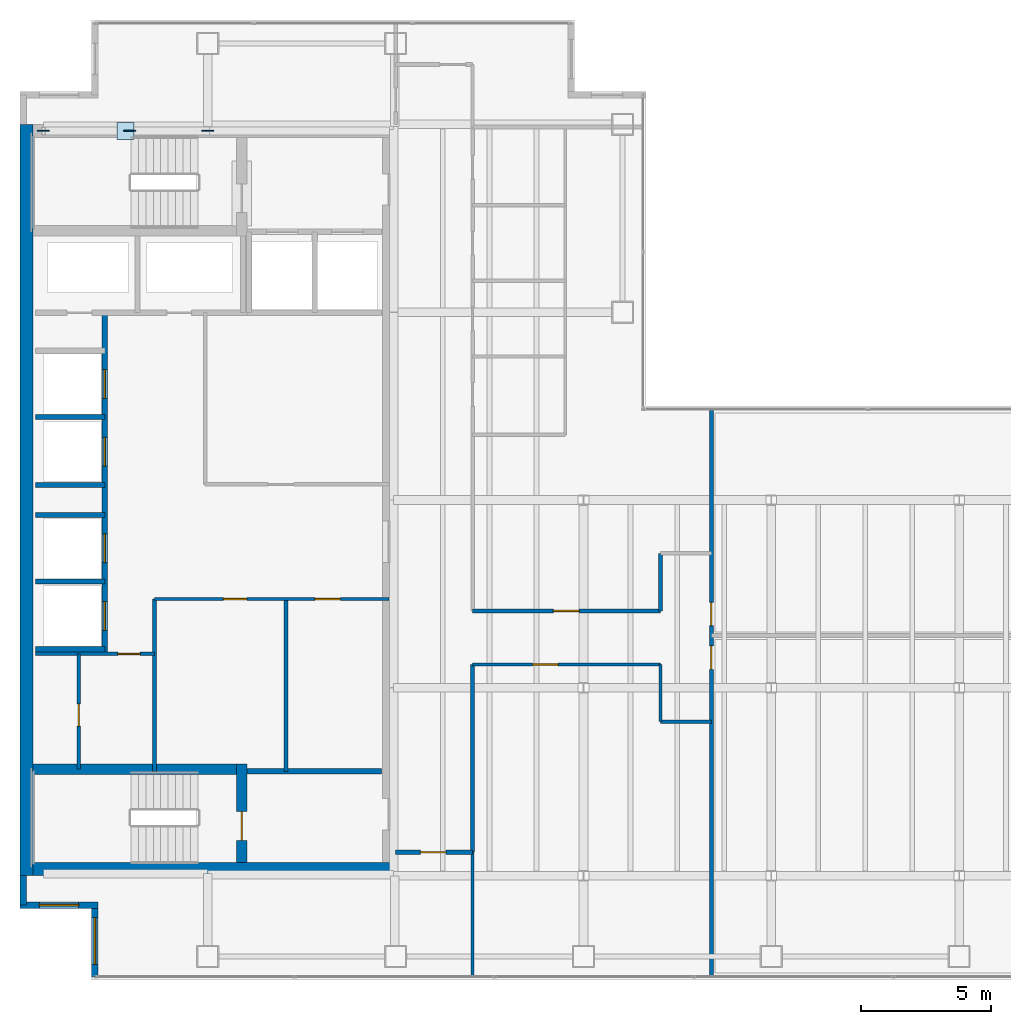
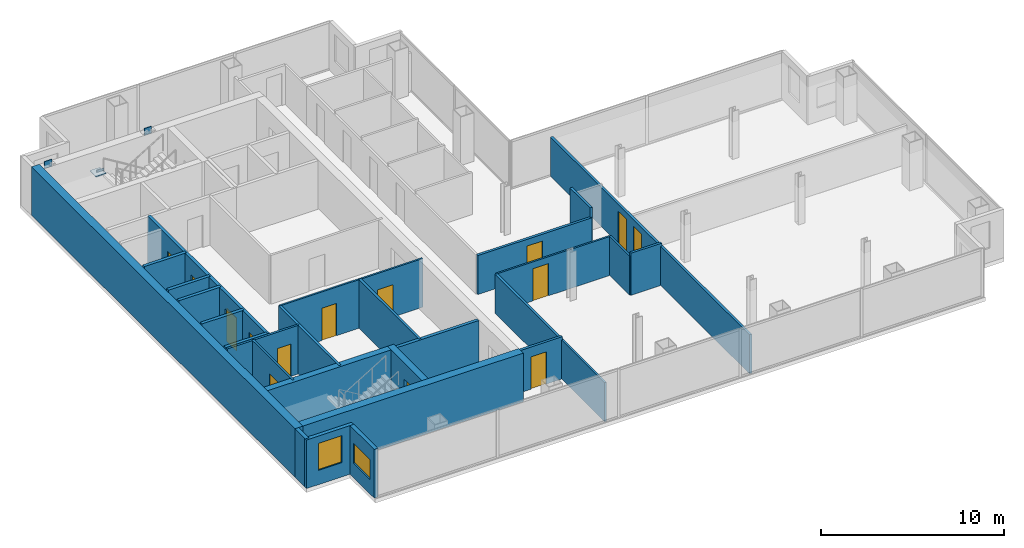
# One storey, part 20 of 23: 28 walls, 14 doors, 4 plates, 2 windows, 16 openings.
"""IFC4 building model written with IfcOpenShell, lengths in metres."""

from ifc_helpers import new_model, si_unit, direction, frame, frame_2d, origin, origin_2d, place, context, subcontext, project, spatial, rectangle, extrude, material, layer, layer_set, type_object, element, fill, save


model = new_model("IFC4")

# Units and contexts
model_context = context("Model", 3, precision=1e-05, world=origin(), true_north=direction((0.0, 1.0)))
body_context = subcontext(model_context, "Body", "Model", "MODEL_VIEW")
ifc_project = project(units=[si_unit("LENGTHUNIT", "METRE"), si_unit("AREAUNIT", "SQUARE_METRE"), si_unit("VOLUMEUNIT", "CUBIC_METRE"), si_unit("PLANEANGLEUNIT", "RADIAN"), si_unit("MASSUNIT", "GRAM", prefix="KILO")], contexts=[model_context])

# Site, building, storey
site_placement = place(None, origin())
site = spatial("IfcSite", under=ifc_project, at=site_placement, CompositionType="ELEMENT")
building_placement = place(site_placement, origin())
building = spatial("IfcBuilding", under=site, at=building_placement, Name="Cobrela Telecom Tower", CompositionType="ELEMENT")
storey_placement = place(building_placement, frame((0.0, 0.0, 176.75)))
storey = spatial("IfcBuildingStorey", under=building, at=storey_placement, Name="L44", CompositionType="ELEMENT", Elevation=176.75)

# Plates
ifc_material_1 = material(Name="Steel ASTM A572 Grade 50", Category="steel")
ifc_layer_1 = layer(ifc_material_1, 0.0419921875)
ifc_layer_set_1 = layer_set([ifc_layer_1], Name="Steel ASTM A572 Grade 50")
plate_type = type_object("IfcPlateType", Name="PLT-NODE-ND1", PredefinedType="USERDEFINED", material=ifc_layer_set_1)
for number, where, z_axis, x_axis, name in (
    (1, (7.199951171875, 35.75, 3.050048828125), (0.0, 0.0, 1.0), (1.0, 0.0, 0.0), "Steel node plate PLT-MBR-EXO-L44-N1-A-1"),
    (2, (4.198486328125, 35.75, 1.311767578125), (0.0, 0.0, 1.0), (-1.0, 0.0, 0.0), "Steel node plate PLT-MBR-EXO-L44-N1-B1-1"),
    (3, (0.89990234375, 35.75, 3.050048828125), (0.0, 0.0, 1.0), (-1.0, 0.0, 0.0), "Steel node plate PLT-MBR-EXO-L44-N1-B2-1"),
):
    element("IfcPlate", number, at=place(storey_placement, frame(where, z_axis=z_axis, x_axis=x_axis)), inside=storey, type_object=plate_type, Name=name, ObjectType="GUSSET PLATE", PredefinedType="USERDEFINED", context=body_context, shape_type="SweptSolid", body=[
        extrude(rectangle(XDim=0.4599609375, YDim=0.044921875, at=origin_2d()), origin(), (0.0, 0.0, 1.0), 0.4599609375),
    ])
plate_placement = place(storey_placement, frame((4.050048828125, 35.75, 1.59765625), z_axis=(0.0, 0.0, 1.0), x_axis=(1.0, 0.0, 0.0)))
element("IfcPlate", 4, at=plate_placement, inside=storey, type_object=plate_type, Name="L44 Core Flange Steel X-Brace Central X-Crossing Gusset Plate", ObjectType="GUSSET PLATE", PredefinedType="USERDEFINED", context=body_context, shape_type="SweptSolid", body=[
    extrude(rectangle(XDim=0.64990234375, YDim=0.64990234375, at=origin_2d()), origin(), (0.0, 0.0, 1.0), 0.044921875),
])

# Walls
ifc_material_2 = material(Name="Concrete C40/50", Category="concrete")
ifc_layer_2 = layer(ifc_material_2, 0.5)
ifc_layer_set_2 = layer_set([ifc_layer_2], Name="Concrete C40/50")
wall_type_1 = type_object("IfcWallType", Name="WALL-CORE-C40-500", PredefinedType="SHEAR", material=ifc_layer_set_2)
wall_1_placement = place(storey_placement, frame((0.25, 7.199951171875, 0.0), z_axis=(0.0, 0.0, 1.0), x_axis=(0.0, 1.0, 0.0)))
element("IfcWall", 5, at=wall_1_placement, inside=storey, type_object=wall_type_1, Name="L44 West Core Shear Wall", PredefinedType="SHEAR", context=body_context, shape_type="SweptSolid", body=[
    extrude(rectangle(XDim=28.800048828125, YDim=0.5, at=frame_2d((14.39990234375, 0.0))), origin(), (0.0, 0.0, 1.0), 3.239990234375),
])
wall_2_placement = place(storey_placement, frame((0.5, 7.449951171875, 0.0), z_axis=(0.0, 0.0, 1.0), x_axis=(1.0, 0.0, 0.0)))
element("IfcWall", 6, at=wall_2_placement, inside=storey, type_object=wall_type_1, Name="L44 South Core Shear Wall", PredefinedType="SHEAR", context=body_context, shape_type="SweptSolid", body=[
    extrude(rectangle(XDim=13.89990234375, YDim=0.5, at=frame_2d((6.949951171875, 0.0))), origin(), (0.0, 0.0, 1.0), 3.239990234375),
])

# Wall, opening, window
ifc_layer_3 = layer(ifc_material_2, 0.239990234375)
ifc_layer_set_3 = layer_set([ifc_layer_3], Name="Concrete C40/50")
wall_type_2 = type_object("IfcWallType", Name="WALL-EXT-300", PredefinedType="STANDARD", material=ifc_layer_set_3)
wall_3_placement = place(storey_placement, frame((2.8701171875, 3.320068359375, 0.0), z_axis=(0.0, 0.0, 1.0), x_axis=(0.0, 1.0, 0.0)))
wall_3 = element("IfcWall", 7, at=wall_3_placement, inside=storey, type_object=wall_type_2, Name="L44 Insulated Facade Wall 01", PredefinedType="STANDARD", context=body_context, shape_type="SweptSolid", body=[
    extrude(rectangle(XDim=2.75, YDim=0.239990234375, at=frame_2d((1.375, 0.0))), origin(), (0.0, 0.0, 1.0), 3.239990234375),
])
opening_1_placement = place(wall_3_placement, frame((0.47509765625, 0.0, 0.949951171875)))
opening_1 = element("IfcOpeningElement", 8, at=opening_1_placement, cuts=wall_3, Name="Opening WN-27", PredefinedType="OPENING", context=body_context, shape_type="SweptSolid", body=[
    extrude(rectangle(XDim=1.800048828125, YDim=1.35009765625, at=frame_2d((0.89990234375, 0.675048828125))), frame((0.0, 0.1318359375, 0.0), z_axis=(0.0, -1.0, 0.0), x_axis=(1.0, 0.0, 0.0)), (0.0, 0.0, 1.0), 0.263916015625),
])
ifc_material_3 = material(Name="Solar-Control Bronze Low-E Glass", Category="glass")
window_type_1 = type_object("IfcWindowType", Name="WIN-CLER-1800", PartitioningType="SINGLE_PANEL", PredefinedType="WINDOW", material=ifc_material_3)
window_1_placement = place(opening_1_placement, origin())
window_1 = element("IfcWindow", 9, at=window_1_placement, inside=storey, type_object=window_type_1, Name="L44 Corner Notch Facade Window 209", OverallHeight=1.35009765625, OverallWidth=1.800048828125, PartitioningType="SINGLE_PANEL", PredefinedType="WINDOW", context=body_context, shape_type="SweptSolid", body=[
    extrude(rectangle(XDim=1.800048828125, YDim=1.35009765625, at=frame_2d((0.89990234375, 0.675048828125))), frame((0.0, 0.030029296875, 0.0), z_axis=(0.0, -1.0, 0.0), x_axis=(1.0, 0.0, 0.0)), (0.0, 0.0, 1.0), 0.06005859375),
])
fill(opening_1, window_1)

wall_4_placement = place(storey_placement, frame((2.989990234375, 6.070068359375, 0.0), z_axis=(0.0, 0.0, 1.0), x_axis=(-1.0, 0.0, 0.0)))
wall_4 = element("IfcWall", 10, at=wall_4_placement, inside=storey, type_object=wall_type_2, Name="L44 Insulated Facade Wall 02", PredefinedType="STANDARD", context=body_context, shape_type="SweptSolid", body=[
    extrude(rectangle(XDim=2.989990234375, YDim=0.239990234375, at=frame_2d((1.4951171875, 0.0))), origin(), (0.0, 0.0, 1.0), 3.239990234375),
])
opening_2_placement = place(wall_4_placement, frame((0.7451171875, 0.0, 0.949951171875)))
opening_2 = element("IfcOpeningElement", 11, at=opening_2_placement, cuts=wall_4, Name="Opening WN-45", PredefinedType="OPENING", context=body_context, shape_type="SweptSolid", body=[
    extrude(rectangle(XDim=1.5, YDim=1.800048828125, at=frame_2d((0.75, 0.89990234375))), frame((0.0, 0.1318359375, 0.0), z_axis=(0.0, -1.0, 0.0), x_axis=(1.0, 0.0, 0.0)), (0.0, 0.0, 1.0), 0.263916015625),
])
window_type_2 = type_object("IfcWindowType", Name="WIN-MOD-1500", PartitioningType="SINGLE_PANEL", PredefinedType="WINDOW", material=ifc_material_3)
window_2_placement = place(opening_2_placement, origin())
window_2 = element("IfcWindow", 12, at=window_2_placement, inside=storey, type_object=window_type_2, Name="L44 Corner Notch Facade Window 210", OverallHeight=1.800048828125, OverallWidth=1.5, PartitioningType="SINGLE_PANEL", PredefinedType="WINDOW", context=body_context, shape_type="SweptSolid", body=[
    extrude(rectangle(XDim=1.5, YDim=1.800048828125, at=frame_2d((0.75, 0.89990234375))), frame((0.0, 0.030029296875, 0.0), z_axis=(0.0, -1.0, 0.0), x_axis=(1.0, 0.0, 0.0)), (0.0, 0.0, 1.0), 0.06005859375),
])
fill(opening_2, window_2)

# Wall
wall_5_placement = place(storey_placement, frame((0.1201171875, 6.070068359375, 0.0), z_axis=(0.0, 0.0, 1.0), x_axis=(0.0, 1.0, 0.0)))
element("IfcWall", 13, at=wall_5_placement, inside=storey, type_object=wall_type_2, Name="L44 Insulated Facade Wall 03", PredefinedType="STANDARD", context=body_context, shape_type="SweptSolid", body=[
    extrude(rectangle(XDim=1.1298828125, YDim=0.239990234375, at=frame_2d((0.56494140625, 0.0))), origin(), (0.0, 0.0, 1.0), 3.239990234375),
])

# Wall, openings, doors
ifc_material_4 = material(Name="Fire-Rated Gypsum Plasterboard")
ifc_layer_4 = layer(ifc_material_4, 0.110107421875)
ifc_layer_set_4 = layer_set([ifc_layer_4], Name="Fire-Rated Gypsum Plasterboard")
wall_type_3 = type_object("IfcWallType", Name="WALL-PART-110", PredefinedType="PARTITIONING", material=ifc_layer_set_4)
wall_6_placement = place(storey_placement, frame((5.14990234375, 17.800048828125, 0.0), z_axis=(0.0, 0.0, 1.0), x_axis=(1.0, 0.0, 0.0)))
wall_6 = element("IfcWall", 14, at=wall_6_placement, inside=storey, type_object=wall_type_3, Name="L44 Interior Partition CW-RECM-N", PredefinedType="PARTITIONING", context=body_context, shape_type="SweptSolid", body=[
    extrude(rectangle(XDim=9.0, YDim=0.110107421875, at=frame_2d((4.5, 0.0))), origin(), (0.0, 0.0, 1.0), 3.239990234375),
])
opening_3_placement = place(wall_6_placement, frame((2.64990234375, 0.0, 0.0)))
opening_3 = element("IfcOpeningElement", 15, at=opening_3_placement, cuts=wall_6, Name="Opening DR-41", PredefinedType="OPENING", context=body_context, shape_type="SweptSolid", body=[
    extrude(rectangle(XDim=0.89990234375, YDim=2.14990234375, at=frame_2d((0.449951171875, 1.074951171875))), frame((0.0, 0.06689453125, 0.0), z_axis=(0.0, -1.0, 0.0), x_axis=(1.0, 0.0, 0.0)), (0.0, 0.0, 1.0), 0.134033203125),
])
opening_4_placement = place(wall_6_placement, frame((6.14990234375, 0.0, 0.0)))
opening_4 = element("IfcOpeningElement", 16, at=opening_4_placement, cuts=wall_6, Name="Opening DR-17", PredefinedType="OPENING", context=body_context, shape_type="SweptSolid", body=[
    extrude(rectangle(XDim=0.97998046875, YDim=2.14990234375, at=frame_2d((0.489990234375, 1.074951171875))), frame((0.0, 0.06689453125, 0.0), z_axis=(0.0, -1.0, 0.0), x_axis=(1.0, 0.0, 0.0)), (0.0, 0.0, 1.0), 0.134033203125),
])
ifc_material_5 = material(Name="Solid Engineered Oak Timber", Category="wood")
door_type_1 = type_object("IfcDoorType", Name="DOOR-INT-900", OperationType="SINGLE_SWING_LEFT", PredefinedType="DOOR", material=ifc_material_5)
door_1_placement = place(opening_3_placement, origin())
door_1 = element("IfcDoor", 17, at=door_1_placement, inside=storey, type_object=door_type_1, Name="L44 Door DR-41", OperationType="SINGLE_SWING_LEFT", OverallHeight=2.14990234375, OverallWidth=0.89990234375, PredefinedType="DOOR", context=body_context, shape_type="SweptSolid", body=[
    extrude(rectangle(XDim=0.89990234375, YDim=2.14990234375, at=frame_2d((0.449951171875, 1.074951171875))), frame((0.0, 0.02490234375, 0.0), z_axis=(0.0, -1.0, 0.0), x_axis=(1.0, 0.0, 0.0)), (0.0, 0.0, 1.0), 0.050048828125),
])
fill(opening_3, door_1)
door_type_2 = type_object("IfcDoorType", Name="DOOR-INT-980", OperationType="SINGLE_SWING_LEFT", PredefinedType="DOOR", material=ifc_material_5)
door_2_placement = place(opening_4_placement, origin())
door_2 = element("IfcDoor", 18, at=door_2_placement, inside=storey, type_object=door_type_2, Name="L44 Door DR-17", OperationType="SINGLE_SWING_RIGHT", OverallHeight=2.14990234375, OverallWidth=0.97998046875, PredefinedType="DOOR", context=body_context, shape_type="SweptSolid", body=[
    extrude(rectangle(XDim=0.97998046875, YDim=2.14990234375, at=frame_2d((0.489990234375, 1.074951171875))), frame((0.0, 0.02490234375, 0.0), z_axis=(0.0, -1.0, 0.0), x_axis=(1.0, 0.0, 0.0)), (0.0, 0.0, 1.0), 0.050048828125),
])
fill(opening_4, door_2)

# Wall, opening, door
wall_7_placement = place(storey_placement, frame((17.35009765625, 15.300048828125, 0.0), z_axis=(0.0, 0.0, 1.0), x_axis=(1.0, 0.0, 0.0)))
wall_7 = element("IfcWall", 19, at=wall_7_placement, inside=storey, type_object=wall_type_3, Name="L44 Interior Partition W-C-HS", PredefinedType="PARTITIONING", context=body_context, shape_type="SweptSolid", body=[
    extrude(rectangle(XDim=7.199951171875, YDim=0.110107421875, at=frame_2d((3.60009765625, 0.0))), origin(), (0.0, 0.0, 1.0), 2.60302734375),
])
opening_5_placement = place(wall_7_placement, frame((2.300048828125, 0.0, 0.0)))
opening_5 = element("IfcOpeningElement", 20, at=opening_5_placement, cuts=wall_7, Name="Opening DR-17", PredefinedType="OPENING", context=body_context, shape_type="SweptSolid", body=[
    extrude(rectangle(XDim=0.97998046875, YDim=2.14990234375, at=frame_2d((0.489990234375, 1.074951171875))), frame((0.0, 0.06689453125, 0.0), z_axis=(0.0, -1.0, 0.0), x_axis=(1.0, 0.0, 0.0)), (0.0, 0.0, 1.0), 0.134033203125),
])
door_3_placement = place(opening_5_placement, origin())
door_3 = element("IfcDoor", 21, at=door_3_placement, inside=storey, type_object=door_type_2, Name="L44 Door DR-17", OperationType="SINGLE_SWING_LEFT", OverallHeight=2.14990234375, OverallWidth=0.97998046875, PredefinedType="DOOR", context=body_context, shape_type="SweptSolid", body=[
    extrude(rectangle(XDim=0.97998046875, YDim=2.14990234375, at=frame_2d((0.489990234375, 1.074951171875))), frame((0.0, 0.02490234375, 0.0), z_axis=(0.0, -1.0, 0.0), x_axis=(1.0, 0.0, 0.0)), (0.0, 0.0, 1.0), 0.050048828125),
])
fill(opening_5, door_3)

# Walls
wall_8_placement = place(storey_placement, frame((24.550048828125, 13.10009765625, 0.0), z_axis=(0.0, 0.0, 1.0), x_axis=(0.0, 1.0, 0.0)))
element("IfcWall", 22, at=wall_8_placement, inside=storey, type_object=wall_type_3, Name="L44 Interior Partition W-CT-JW1", PredefinedType="PARTITIONING", context=body_context, shape_type="SweptSolid", body=[
    extrude(rectangle(XDim=2.199951171875, YDim=0.110107421875, at=frame_2d((1.10009765625, 0.0))), origin(), (0.0, 0.0, 1.0), 2.60302734375),
])
wall_9_placement = place(storey_placement, frame((17.35009765625, 3.320068359375, 0.0), z_axis=(0.0, 0.0, 1.0), x_axis=(0.0, 1.0, 0.0)))
element("IfcWall", 23, at=wall_9_placement, inside=storey, type_object=wall_type_3, Name="L44 Interior Partition W-SW-E", PredefinedType="PARTITIONING", context=body_context, shape_type="SweptSolid", body=[
    extrude(rectangle(XDim=4.780029296875, YDim=0.110107421875, at=frame_2d((2.39013671875, 0.0))), origin(), (0.0, 0.0, 1.0), 2.60302734375),
])

# Wall, opening, door
ifc_layer_5 = layer(ifc_material_4, 0.125)
ifc_layer_set_5 = layer_set([ifc_layer_5], Name="Fire-Rated Gypsum Plasterboard")
wall_type_4 = type_object("IfcWallType", Name="WALL-PART-125", PredefinedType="PARTITIONING", material=ifc_layer_set_5)
wall_10_placement = place(storey_placement, frame((2.25, 11.280029296875, 0.0), z_axis=(0.0, 0.0, 1.0), x_axis=(0.0, 1.0, 0.0)))
wall_10 = element("IfcWall", 24, at=wall_10_placement, inside=storey, type_object=wall_type_4, Name="L44 Interior Partition CW-FK0-V", PredefinedType="PARTITIONING", context=body_context, shape_type="SweptSolid", body=[
    extrude(rectangle(XDim=4.419921875, YDim=0.125, at=frame_2d((2.2099609375, 0.0))), origin(), (0.0, 0.0, 1.0), 3.239990234375),
])
opening_6_placement = place(wall_10_placement, frame((1.64990234375, 0.0, 0.0)))
opening_6 = element("IfcOpeningElement", 25, at=opening_6_placement, cuts=wall_10, Name="Opening DR-11", PredefinedType="OPENING", context=body_context, shape_type="SweptSolid", body=[
    extrude(rectangle(XDim=0.85009765625, YDim=2.14990234375, at=frame_2d((0.425048828125, 1.074951171875))), frame((0.0, 0.074462890625, 0.0), z_axis=(0.0, -1.0, 0.0), x_axis=(1.0, 0.0, 0.0)), (0.0, 0.0, 1.0), 0.14892578125),
])
door_type_3 = type_object("IfcDoorType", Name="DOOR-INT-850", OperationType="SINGLE_SWING_LEFT", PredefinedType="DOOR", material=ifc_material_5)
door_4_placement = place(opening_6_placement, origin())
door_4 = element("IfcDoor", 26, at=door_4_placement, inside=storey, type_object=door_type_3, Name="L44 Door DR-11", OperationType="SINGLE_SWING_LEFT", OverallHeight=2.14990234375, OverallWidth=0.85009765625, PredefinedType="DOOR", context=body_context, shape_type="SweptSolid", body=[
    extrude(rectangle(XDim=0.85009765625, YDim=2.14990234375, at=frame_2d((0.425048828125, 1.074951171875))), frame((0.0, 0.02490234375, 0.0), z_axis=(0.0, -1.0, 0.0), x_axis=(1.0, 0.0, 0.0)), (0.0, 0.0, 1.0), 0.050048828125),
])
fill(opening_6, door_4)

ifc_layer_6 = layer(ifc_material_4, 0.135009765625)
ifc_layer_set_6 = layer_set([ifc_layer_6], Name="Fire-Rated Gypsum Plasterboard")
wall_type_5 = type_object("IfcWallType", Name="WALL-PART-135", PredefinedType="PARTITIONING", material=ifc_layer_set_6)
wall_11_placement = place(storey_placement, frame((0.60009765625, 15.699951171875, 0.0), z_axis=(0.0, 0.0, 1.0), x_axis=(1.0, 0.0, 0.0)))
wall_11 = element("IfcWall", 27, at=wall_11_placement, inside=storey, type_object=wall_type_5, Name="L44 Interior Partition CW-FLEX-N", PredefinedType="PARTITIONING", context=body_context, shape_type="SweptSolid", body=[
    extrude(rectangle(XDim=4.5498046875, YDim=0.135009765625, at=frame_2d((2.27490234375, 0.0))), origin(), (0.0, 0.0, 1.0), 3.239990234375),
])
opening_7_placement = place(wall_11_placement, frame((3.14990234375, 0.0, 0.0)))
opening_7 = element("IfcOpeningElement", 28, at=opening_7_placement, cuts=wall_11, Name="Opening DR-11", PredefinedType="OPENING", context=body_context, shape_type="SweptSolid", body=[
    extrude(rectangle(XDim=0.85009765625, YDim=2.14990234375, at=frame_2d((0.425048828125, 1.074951171875))), frame((0.0, 0.07958984375, 0.0), z_axis=(0.0, -1.0, 0.0), x_axis=(1.0, 0.0, 0.0)), (0.0, 0.0, 1.0), 0.158935546875),
])
door_5_placement = place(opening_7_placement, origin())
door_5 = element("IfcDoor", 29, at=door_5_placement, inside=storey, type_object=door_type_3, Name="L44 Door DR-11", OperationType="SINGLE_SWING_RIGHT", OverallHeight=2.14990234375, OverallWidth=0.85009765625, PredefinedType="DOOR", context=body_context, shape_type="SweptSolid", body=[
    extrude(rectangle(XDim=0.85009765625, YDim=2.14990234375, at=frame_2d((0.425048828125, 1.074951171875))), frame((0.0, 0.02490234375, 0.0), z_axis=(0.0, -1.0, 0.0), x_axis=(1.0, 0.0, 0.0)), (0.0, 0.0, 1.0), 0.050048828125),
])
fill(opening_7, door_5)

# Walls
ifc_layer_7 = layer(ifc_material_4, 0.14990234375)
ifc_layer_set_7 = layer_set([ifc_layer_7], Name="Fire-Rated Gypsum Plasterboard")
wall_type_6 = type_object("IfcWallType", Name="WALL-PART-150", PredefinedType="PARTITIONING", material=ifc_layer_set_7)
wall_12_placement = place(storey_placement, frame((10.199951171875, 11.199951171875, 0.0), z_axis=(0.0, 0.0, 1.0), x_axis=(0.0, 1.0, 0.0)))
element("IfcWall", 30, at=wall_12_placement, inside=storey, type_object=wall_type_6, Name="L44 Interior Partition CW-RECM-V", PredefinedType="PARTITIONING", context=body_context, shape_type="SweptSolid", body=[
    extrude(rectangle(XDim=6.60009765625, YDim=0.14990234375, at=frame_2d((3.300048828125, 0.0))), origin(), (0.0, 0.0, 1.0), 3.239990234375),
])
wall_13_placement = place(storey_placement, frame((17.35009765625, 8.10009765625, 0.0), z_axis=(0.0, 0.0, 1.0), x_axis=(0.0, 1.0, 0.0)))
element("IfcWall", 31, at=wall_13_placement, inside=storey, type_object=wall_type_6, Name="L44 Interior Partition W-C-E1", PredefinedType="PARTITIONING", context=body_context, shape_type="SweptSolid", body=[
    extrude(rectangle(XDim=7.199951171875, YDim=0.14990234375, at=frame_2d((3.60009765625, 0.0))), origin(), (0.0, 0.0, 1.0), 2.60302734375),
])
wall_14_placement = place(storey_placement, frame((24.550048828125, 13.10009765625, 0.0), z_axis=(0.0, 0.0, 1.0), x_axis=(1.0, 0.0, 0.0)))
element("IfcWall", 32, at=wall_14_placement, inside=storey, type_object=wall_type_6, Name="L44 Interior Partition W-CT-S", PredefinedType="PARTITIONING", context=body_context, shape_type="SweptSolid", body=[
    extrude(rectangle(XDim=1.949951171875, YDim=0.14990234375, at=frame_2d((0.97509765625, 0.0))), origin(), (0.0, 0.0, 1.0), 2.80810546875),
])

# Wall, openings, doors
wall_15_placement = place(storey_placement, frame((26.5, 3.320068359375, 0.0), z_axis=(0.0, 0.0, 1.0), x_axis=(0.0, 1.0, 0.0)))
wall_15 = element("IfcWall", 33, at=wall_15_placement, inside=storey, type_object=wall_type_6, Name="L44 Interior Partition W-C-END", PredefinedType="PARTITIONING", context=body_context, shape_type="SweptSolid", body=[
    extrude(rectangle(XDim=21.760009765625, YDim=0.14990234375, at=frame_2d((10.8798828125, 0.0))), origin(), (0.0, 0.0, 1.0), 2.60302734375),
])
opening_8_placement = place(wall_15_placement, frame((11.7900390625, 0.0, 0.0)))
opening_8 = element("IfcOpeningElement", 34, at=opening_8_placement, cuts=wall_15, Name="Opening DR-41", PredefinedType="OPENING", context=body_context, shape_type="SweptSolid", body=[
    extrude(rectangle(XDim=0.89990234375, YDim=2.14990234375, at=frame_2d((0.449951171875, 1.074951171875))), frame((0.0, 0.0869140625, 0.0), z_axis=(0.0, -1.0, 0.0), x_axis=(1.0, 0.0, 0.0)), (0.0, 0.0, 1.0), 0.173828125),
])
opening_9_placement = place(wall_15_placement, frame((13.4599609375, 0.0, 0.0)))
opening_9 = element("IfcOpeningElement", 35, at=opening_9_placement, cuts=wall_15, Name="Opening DR-41", PredefinedType="OPENING", context=body_context, shape_type="SweptSolid", body=[
    extrude(rectangle(XDim=0.89990234375, YDim=2.14990234375, at=frame_2d((0.449951171875, 1.074951171875))), frame((0.0, 0.0869140625, 0.0), z_axis=(0.0, -1.0, 0.0), x_axis=(1.0, 0.0, 0.0)), (0.0, 0.0, 1.0), 0.173828125),
])
door_6_placement = place(opening_8_placement, origin())
door_6 = element("IfcDoor", 36, at=door_6_placement, inside=storey, type_object=door_type_1, Name="L44 Door DR-41", OperationType="SINGLE_SWING_LEFT", OverallHeight=2.14990234375, OverallWidth=0.89990234375, PredefinedType="DOOR", context=body_context, shape_type="SweptSolid", body=[
    extrude(rectangle(XDim=0.89990234375, YDim=2.14990234375, at=frame_2d((0.449951171875, 1.074951171875))), frame((0.0, 0.02490234375, 0.0), z_axis=(0.0, -1.0, 0.0), x_axis=(1.0, 0.0, 0.0)), (0.0, 0.0, 1.0), 0.050048828125),
])
fill(opening_8, door_6)
door_7_placement = place(opening_9_placement, origin())
door_7 = element("IfcDoor", 37, at=door_7_placement, inside=storey, type_object=door_type_1, Name="L44 Door DR-41", OperationType="SINGLE_SWING_RIGHT", OverallHeight=2.14990234375, OverallWidth=0.89990234375, PredefinedType="DOOR", context=body_context, shape_type="SweptSolid", body=[
    extrude(rectangle(XDim=0.89990234375, YDim=2.14990234375, at=frame_2d((0.449951171875, 1.074951171875))), frame((0.0, 0.02490234375, 0.0), z_axis=(0.0, -1.0, 0.0), x_axis=(1.0, 0.0, 0.0)), (0.0, 0.0, 1.0), 0.050048828125),
])
fill(opening_9, door_7)

# Wall
ifc_layer_8 = layer(ifc_material_4, 0.159912109375)
ifc_layer_set_8 = layer_set([ifc_layer_8], Name="Fire-Rated Gypsum Plasterboard")
wall_type_7 = type_object("IfcWallType", Name="WALL-PART-160", PredefinedType="PARTITIONING", material=ifc_layer_set_8)
wall_16_placement = place(storey_placement, frame((5.14990234375, 11.199951171875, 0.0), z_axis=(0.0, 0.0, 1.0), x_axis=(0.0, 1.0, 0.0)))
element("IfcWall", 38, at=wall_16_placement, inside=storey, type_object=wall_type_7, Name="L44 Interior Partition CW-RECM-W", PredefinedType="PARTITIONING", context=body_context, shape_type="SweptSolid", body=[
    extrude(rectangle(XDim=6.60009765625, YDim=0.159912109375, at=frame_2d((3.300048828125, 0.0))), origin(), (0.0, 0.0, 1.0), 3.239990234375),
])

# Wall, opening, door
wall_17_placement = place(storey_placement, frame((14.39990234375, 8.10009765625, 0.0), z_axis=(0.0, 0.0, 1.0), x_axis=(1.0, 0.0, 0.0)))
wall_17 = element("IfcWall", 39, at=wall_17_placement, inside=storey, type_object=wall_type_7, Name="L44 Interior Partition W-C-S0", PredefinedType="PARTITIONING", context=body_context, shape_type="SweptSolid", body=[
    extrude(rectangle(XDim=2.9501953125, YDim=0.159912109375, at=frame_2d((1.47509765625, 0.0))), origin(), (0.0, 0.0, 1.0), 2.80810546875),
])
opening_10_placement = place(wall_17_placement, frame((0.949951171875, 0.0, 0.0)))
opening_10 = element("IfcOpeningElement", 40, at=opening_10_placement, cuts=wall_17, Name="Opening DR-17", PredefinedType="OPENING", context=body_context, shape_type="SweptSolid", body=[
    extrude(rectangle(XDim=0.97998046875, YDim=2.14990234375, at=frame_2d((0.489990234375, 1.074951171875))), frame((0.0, 0.091796875, 0.0), z_axis=(0.0, -1.0, 0.0), x_axis=(1.0, 0.0, 0.0)), (0.0, 0.0, 1.0), 0.183837890625),
])
door_8_placement = place(opening_10_placement, origin())
door_8 = element("IfcDoor", 41, at=door_8_placement, inside=storey, type_object=door_type_2, Name="L44 Door DR-17", OperationType="SINGLE_SWING_RIGHT", OverallHeight=2.14990234375, OverallWidth=0.97998046875, PredefinedType="DOOR", context=body_context, shape_type="SweptSolid", body=[
    extrude(rectangle(XDim=0.97998046875, YDim=2.14990234375, at=frame_2d((0.489990234375, 1.074951171875))), frame((0.0, 0.02490234375, 0.0), z_axis=(0.0, -1.0, 0.0), x_axis=(1.0, 0.0, 0.0)), (0.0, 0.0, 1.0), 0.050048828125),
])
fill(opening_10, door_8)

wall_18_placement = place(storey_placement, frame((17.35009765625, 17.35009765625, 0.0), z_axis=(0.0, 0.0, 1.0), x_axis=(1.0, 0.0, 0.0)))
wall_18 = element("IfcWall", 42, at=wall_18_placement, inside=storey, type_object=wall_type_7, Name="L44 Interior Partition W-C-HN", PredefinedType="PARTITIONING", context=body_context, shape_type="SweptSolid", body=[
    extrude(rectangle(XDim=7.199951171875, YDim=0.159912109375, at=frame_2d((3.60009765625, 0.0))), origin(), (0.0, 0.0, 1.0), 2.60302734375),
])
opening_11_placement = place(wall_18_placement, frame((3.10009765625, 0.0, 0.0)))
opening_11 = element("IfcOpeningElement", 43, at=opening_11_placement, cuts=wall_18, Name="Opening DR-17", PredefinedType="OPENING", context=body_context, shape_type="SweptSolid", body=[
    extrude(rectangle(XDim=0.97998046875, YDim=2.14990234375, at=frame_2d((0.489990234375, 1.074951171875))), frame((0.0, 0.091796875, 0.0), z_axis=(0.0, -1.0, 0.0), x_axis=(1.0, 0.0, 0.0)), (0.0, 0.0, 1.0), 0.183837890625),
])
door_9_placement = place(opening_11_placement, origin())
door_9 = element("IfcDoor", 44, at=door_9_placement, inside=storey, type_object=door_type_2, Name="L44 Door DR-17", OperationType="SINGLE_SWING_LEFT", OverallHeight=2.14990234375, OverallWidth=0.97998046875, PredefinedType="DOOR", context=body_context, shape_type="SweptSolid", body=[
    extrude(rectangle(XDim=0.97998046875, YDim=2.14990234375, at=frame_2d((0.489990234375, 1.074951171875))), frame((0.0, 0.02490234375, 0.0), z_axis=(0.0, -1.0, 0.0), x_axis=(1.0, 0.0, 0.0)), (0.0, 0.0, 1.0), 0.050048828125),
])
fill(opening_11, door_9)

# Walls
wall_19_placement = place(storey_placement, frame((24.550048828125, 17.35009765625, 0.0), z_axis=(0.0, 0.0, 1.0), x_axis=(0.0, 1.0, 0.0)))
element("IfcWall", 45, at=wall_19_placement, inside=storey, type_object=wall_type_7, Name="L44 Interior Partition W-CT-JW2", PredefinedType="PARTITIONING", context=body_context, shape_type="SweptSolid", body=[
    extrude(rectangle(XDim=2.199951171875, YDim=0.159912109375, at=frame_2d((1.10009765625, 0.0))), origin(), (0.0, 0.0, 1.0), 3.239990234375),
])
ifc_layer_9 = layer(ifc_material_4, 0.199951171875)
ifc_layer_set_9 = layer_set([ifc_layer_9], Name="Fire-Rated Gypsum Plasterboard")
wall_type_8 = type_object("IfcWallType", Name="WALL-SHAFT-200", PredefinedType="PARTITIONING", material=ifc_layer_set_9)
wall_20_placement = place(storey_placement, frame((8.699951171875, 11.199951171875, 0.0), z_axis=(0.0, 0.0, 1.0), x_axis=(1.0, 0.0, 0.0)))
element("IfcWall", 46, at=wall_20_placement, inside=storey, type_object=wall_type_8, Name="L44 Shaft Enclosure CW-ST2L-N", PredefinedType="PARTITIONING", context=body_context, shape_type="SweptSolid", body=[
    extrude(rectangle(XDim=5.150146484375, YDim=0.199951171875, at=frame_2d((2.5751953125, 0.0))), origin(), (0.0, 0.0, 1.0), 3.239990234375),
])

# Wall, openings, doors
wall_21_placement = place(storey_placement, frame((3.25, 15.699951171875, 0.0), z_axis=(0.0, 0.0, 1.0), x_axis=(0.0, 1.0, 0.0)))
wall_21 = element("IfcWall", 47, at=wall_21_placement, inside=storey, type_object=wall_type_8, Name="L44 Shaft Enclosure CW-PLH-E", PredefinedType="PARTITIONING", context=body_context, shape_type="SweptSolid", body=[
    extrude(rectangle(XDim=13.080078125, YDim=0.199951171875, at=frame_2d((6.5400390625, 0.0))), origin(), (0.0, 0.0, 1.0), 3.239990234375),
])
opening_12_placement = place(wall_21_placement, frame((0.89990234375, 0.0, 0.0)))
opening_12 = element("IfcOpeningElement", 48, at=opening_12_placement, cuts=wall_21, Name="Opening LD-1", PredefinedType="OPENING", context=body_context, shape_type="SweptSolid", body=[
    extrude(rectangle(XDim=1.10009765625, YDim=2.199951171875, at=frame_2d((0.550048828125, 1.10009765625))), frame((0.0, 0.11181640625, 0.0), z_axis=(0.0, -1.0, 0.0), x_axis=(1.0, 0.0, 0.0)), (0.0, 0.0, 1.0), 0.223876953125),
])
opening_13_placement = place(wall_21_placement, frame((3.5, 0.0, 0.0)))
opening_13 = element("IfcOpeningElement", 49, at=opening_13_placement, cuts=wall_21, Name="Opening LD-1", PredefinedType="OPENING", context=body_context, shape_type="SweptSolid", body=[
    extrude(rectangle(XDim=1.10009765625, YDim=2.199951171875, at=frame_2d((0.550048828125, 1.10009765625))), frame((0.0, 0.11181640625, 0.0), z_axis=(0.0, -1.0, 0.0), x_axis=(1.0, 0.0, 0.0)), (0.0, 0.0, 1.0), 0.223876953125),
])
opening_14_placement = place(wall_21_placement, frame((7.199951171875, 0.0, 0.0)))
opening_14 = element("IfcOpeningElement", 50, at=opening_14_placement, cuts=wall_21, Name="Opening LD-1", PredefinedType="OPENING", context=body_context, shape_type="SweptSolid", body=[
    extrude(rectangle(XDim=1.10009765625, YDim=2.199951171875, at=frame_2d((0.550048828125, 1.10009765625))), frame((0.0, 0.11181640625, 0.0), z_axis=(0.0, -1.0, 0.0), x_axis=(1.0, 0.0, 0.0)), (0.0, 0.0, 1.0), 0.223876953125),
])
opening_15_placement = place(wall_21_placement, frame((9.800048828125, 0.0, 0.0)))
opening_15 = element("IfcOpeningElement", 51, at=opening_15_placement, cuts=wall_21, Name="Opening LD-1", PredefinedType="OPENING", context=body_context, shape_type="SweptSolid", body=[
    extrude(rectangle(XDim=1.10009765625, YDim=2.199951171875, at=frame_2d((0.550048828125, 1.10009765625))), frame((0.0, 0.11181640625, 0.0), z_axis=(0.0, -1.0, 0.0), x_axis=(1.0, 0.0, 0.0)), (0.0, 0.0, 1.0), 0.223876953125),
])
ifc_material_6 = material(Name="Steel ASTM A36", Category="steel")
door_type_4 = type_object("IfcDoorType", Name="DOOR-LD-PL", OperationType="SINGLE_SWING_LEFT", PredefinedType="DOOR", material=ifc_material_6)
door_10_placement = place(opening_12_placement, origin())
door_10 = element("IfcDoor", 52, at=door_10_placement, inside=storey, type_object=door_type_4, Name="L44 Lift Landing Door LD-1", OperationType="DOUBLE_DOOR_SLIDING", OverallHeight=2.199951171875, OverallWidth=1.10009765625, PredefinedType="DOOR", context=body_context, shape_type="SweptSolid", body=[
    extrude(rectangle(XDim=1.10009765625, YDim=2.199951171875, at=frame_2d((0.550048828125, 1.10009765625))), frame((0.0, 0.02490234375, 0.0), z_axis=(0.0, -1.0, 0.0), x_axis=(1.0, 0.0, 0.0)), (0.0, 0.0, 1.0), 0.050048828125),
])
fill(opening_12, door_10)
door_11_placement = place(opening_13_placement, origin())
door_11 = element("IfcDoor", 53, at=door_11_placement, inside=storey, type_object=door_type_4, Name="L44 Lift Landing Door LD-1", OperationType="DOUBLE_DOOR_SLIDING", OverallHeight=2.199951171875, OverallWidth=1.10009765625, PredefinedType="DOOR", context=body_context, shape_type="SweptSolid", body=[
    extrude(rectangle(XDim=1.10009765625, YDim=2.199951171875, at=frame_2d((0.550048828125, 1.10009765625))), frame((0.0, 0.02490234375, 0.0), z_axis=(0.0, -1.0, 0.0), x_axis=(1.0, 0.0, 0.0)), (0.0, 0.0, 1.0), 0.050048828125),
])
fill(opening_13, door_11)
door_12_placement = place(opening_14_placement, origin())
door_12 = element("IfcDoor", 54, at=door_12_placement, inside=storey, type_object=door_type_4, Name="L44 Lift Landing Door LD-1", OperationType="DOUBLE_DOOR_SLIDING", OverallHeight=2.199951171875, OverallWidth=1.10009765625, PredefinedType="DOOR", context=body_context, shape_type="SweptSolid", body=[
    extrude(rectangle(XDim=1.10009765625, YDim=2.199951171875, at=frame_2d((0.550048828125, 1.10009765625))), frame((0.0, 0.02490234375, 0.0), z_axis=(0.0, -1.0, 0.0), x_axis=(1.0, 0.0, 0.0)), (0.0, 0.0, 1.0), 0.050048828125),
])
fill(opening_14, door_12)
door_13_placement = place(opening_15_placement, origin())
door_13 = element("IfcDoor", 55, at=door_13_placement, inside=storey, type_object=door_type_4, Name="L44 Lift Landing Door LD-1", OperationType="DOUBLE_DOOR_SLIDING", OverallHeight=2.199951171875, OverallWidth=1.10009765625, PredefinedType="DOOR", context=body_context, shape_type="SweptSolid", body=[
    extrude(rectangle(XDim=1.10009765625, YDim=2.199951171875, at=frame_2d((0.550048828125, 1.10009765625))), frame((0.0, 0.02490234375, 0.0), z_axis=(0.0, -1.0, 0.0), x_axis=(1.0, 0.0, 0.0)), (0.0, 0.0, 1.0), 0.050048828125),
])
fill(opening_15, door_13)

# Walls
for number, where, z_axis, x_axis, name in (
    (56, (0.60009765625, 15.8798828125, 0.0), (0.0, 0.0, 1.0), (1.0, 0.0, 0.0), "L44 Shaft Enclosure CW-PLH-D9"),
    (57, (0.60009765625, 18.47998046875, 0.0), (0.0, 0.0, 1.0), (1.0, 0.0, 0.0), "L44 Shaft Enclosure CW-PLH-D10"),
    (58, (0.60009765625, 22.179931640625, 0.0), (0.0, 0.0, 1.0), (1.0, 0.0, 0.0), "L44 Shaft Enclosure CW-PLH-D11"),
    (59, (0.60009765625, 24.780029296875, 0.0), (0.0, 0.0, 1.0), (1.0, 0.0, 0.0), "L44 Shaft Enclosure CW-PLH-D12"),
    (60, (0.60009765625, 21.02001953125, 0.0), (0.0, 0.0, 1.0), (1.0, 0.0, 0.0), "L44 Shaft Enclosure CW-PLH-MID"),
):
    element("IfcWall", number, at=place(storey_placement, frame(where, z_axis=z_axis, x_axis=x_axis)), inside=storey, type_object=wall_type_8, Name=name, PredefinedType="PARTITIONING", context=body_context, shape_type="SweptSolid", body=[
        extrude(rectangle(XDim=2.64990234375, YDim=0.199951171875, at=frame_2d((1.324951171875, 0.0))), origin(), (0.0, 0.0, 1.0), 3.239990234375),
    ])
ifc_layer_10 = layer(ifc_material_2, 0.39990234375)
ifc_layer_set_10 = layer_set([ifc_layer_10], Name="Concrete C40/50")
wall_type_9 = type_object("IfcWallType", Name="WALL-SHAFT-C40-400", PredefinedType="SHEAR", material=ifc_layer_set_10)
wall_22_placement = place(storey_placement, frame((0.5, 11.280029296875, 0.0), z_axis=(0.0, 0.0, 1.0), x_axis=(1.0, 0.0, 0.0)))
element("IfcWall", 61, at=wall_22_placement, inside=storey, type_object=wall_type_9, Name="L44 South Stair Shear Wall", PredefinedType="SHEAR", context=body_context, shape_type="SweptSolid", body=[
    extrude(rectangle(XDim=7.800048828125, YDim=0.39990234375, at=frame_2d((3.89990234375, 0.0))), origin(), (0.0, 0.0, 1.0), 3.239990234375),
])

# Wall, opening, door
wall_23_placement = place(storey_placement, frame((8.5, 7.699951171875, 0.0), z_axis=(0.0, 0.0, 1.0), x_axis=(0.0, 1.0, 0.0)))
wall_23 = element("IfcWall", 62, at=wall_23_placement, inside=storey, type_object=wall_type_9, Name="L44 South Stair Lobby Shear Wall", PredefinedType="SHEAR", context=body_context, shape_type="SweptSolid", body=[
    extrude(rectangle(XDim=3.780029296875, YDim=0.39990234375, at=frame_2d((1.89013671875, 0.0))), origin(), (0.0, 0.0, 1.0), 3.239990234375),
])
opening_16_placement = place(wall_23_placement, frame((0.85009765625, 0.0, 0.0)))
opening_16 = element("IfcOpeningElement", 63, at=opening_16_placement, cuts=wall_23, Name="Opening FD-90", PredefinedType="OPENING", context=body_context, shape_type="SweptSolid", body=[
    extrude(rectangle(XDim=1.10009765625, YDim=2.14990234375, at=frame_2d((0.550048828125, 1.074951171875))), frame((0.0, 0.2119140625, 0.0), z_axis=(0.0, -1.0, 0.0), x_axis=(1.0, 0.0, 0.0)), (0.0, 0.0, 1.0), 0.423828125),
])
door_type_5 = type_object("IfcDoorType", Name="DOOR-FD90-1100", OperationType="SINGLE_SWING_LEFT", PredefinedType="DOOR", material=ifc_material_6)
door_14_placement = place(opening_16_placement, origin())
door_14 = element("IfcDoor", 64, at=door_14_placement, inside=storey, type_object=door_type_5, Name="L44 Door FD-90", OperationType="SINGLE_SWING_LEFT", OverallHeight=2.14990234375, OverallWidth=1.10009765625, PredefinedType="DOOR", context=body_context, shape_type="SweptSolid", body=[
    extrude(rectangle(XDim=1.10009765625, YDim=2.14990234375, at=frame_2d((0.550048828125, 1.074951171875))), frame((0.0, 0.02490234375, 0.0), z_axis=(0.0, -1.0, 0.0), x_axis=(1.0, 0.0, 0.0)), (0.0, 0.0, 1.0), 0.050048828125),
])
fill(opening_16, door_14)

save(model, "model.ifc")
